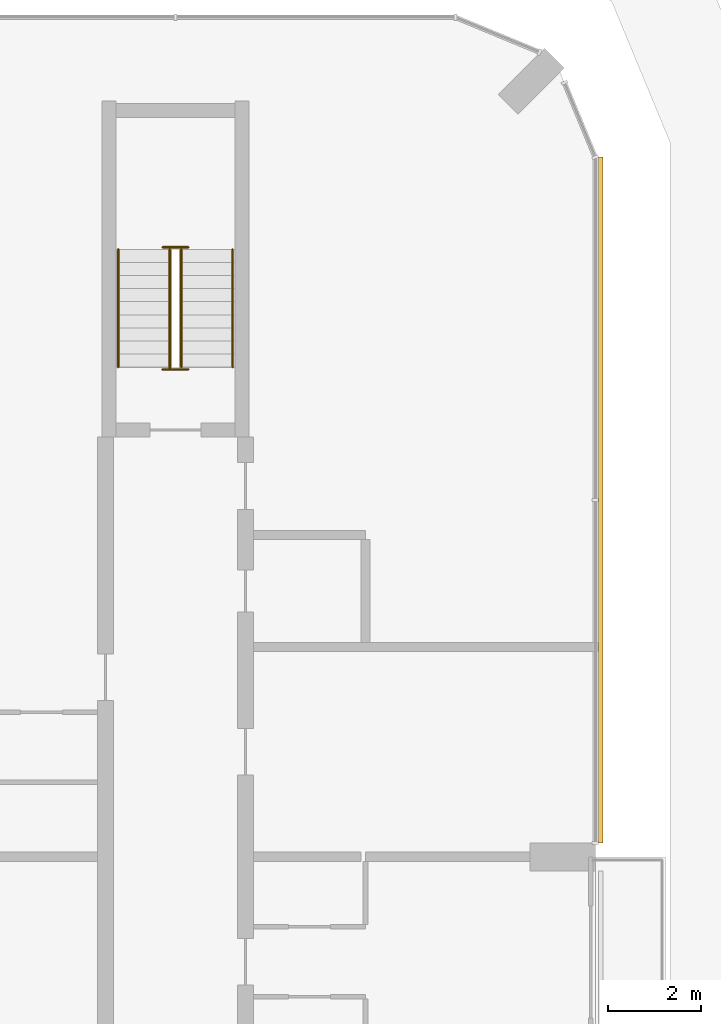
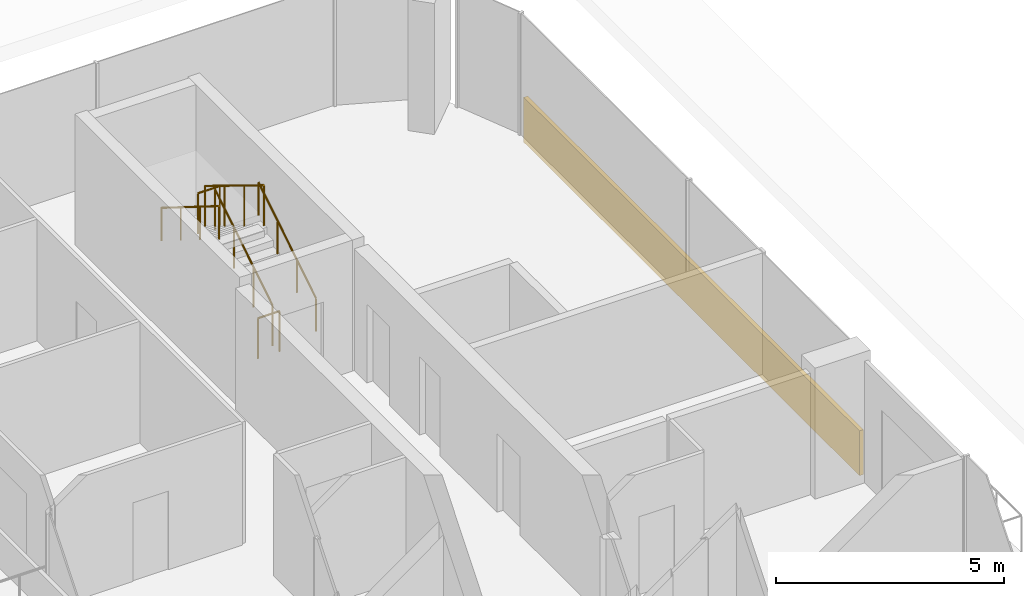
# One storey, part 23 of 24: 6 railings, 1 covering.
"""IFC4 building model written with IfcOpenShell, lengths in metres."""

from ifc_helpers import new_model, si_unit, direction, frame, origin, origin_2d, place, context, subcontext, project, spatial, rectangle, circle, extrude, material, layer, layer_set, type_object, element, save


model = new_model("IFC4")

# Units and contexts
model_context = context("Model", 3, precision=1e-05, world=origin(), true_north=direction((0.0, 1.0)))
body_context = subcontext(model_context, "Body", "Model", "MODEL_VIEW")
ifc_project = project(units=[si_unit("LENGTHUNIT", "METRE"), si_unit("AREAUNIT", "SQUARE_METRE"), si_unit("VOLUMEUNIT", "CUBIC_METRE"), si_unit("PLANEANGLEUNIT", "RADIAN"), si_unit("MASSUNIT", "GRAM", prefix="KILO")], contexts=[model_context])

# Site, building, storey
site_placement = place(None, origin())
site = spatial("IfcSite", under=ifc_project, at=site_placement, CompositionType="ELEMENT")
building_placement = place(site_placement, origin())
building = spatial("IfcBuilding", under=site, at=building_placement, Name="Plateau Cross Towers", CompositionType="ELEMENT")
storey_placement = place(building_placement, frame((0.0, 0.0, 30.300048828125)))
storey = spatial("IfcBuildingStorey", under=building, at=storey_placement, Name="L06", CompositionType="ELEMENT", Elevation=30.300048828125)

# Railings
ifc_material_1 = material(Name="Stainless steel and toughened glass", Category="steel")
railing_type_1 = type_object("IfcRailingType", Name="RL-GUARD-1100", PredefinedType="GUARDRAIL", material=ifc_material_1)
railing_1_placement = place(storey_placement, frame((9.125, 46.5, 0.175048828125)))
element("IfcRailing", 1, at=railing_1_placement, inside=storey, type_object=railing_type_1, Name="L06 ES-N stair guard 1", PredefinedType="GUARDRAIL", context=body_context, shape_type="SweptSolid", body=[
    extrude(circle(Radius=0.02392578125, at=origin_2d()), frame((0.0, 0.0, 1.076171875), z_axis=(0.0, 0.848007534815, 0.529984170421), x_axis=(-1.0, 0.0, 0.0)), (0.0, 0.0, 1.0), 2.9716796875),
    extrude(circle(Radius=0.02099609375, at=origin_2d()), origin(), (0.0, 0.0, 1.0), 1.052001953125),
    extrude(circle(Radius=0.02099609375, at=origin_2d()), frame((0.0, 0.840087890625, 0.52490234375)), (0.0, 0.0, 1.0), 1.052001953125),
    extrude(circle(Radius=0.02099609375, at=origin_2d()), frame((0.0, 1.679931640625, 1.050048828125)), (0.0, 0.0, 1.0), 1.052001953125),
    extrude(circle(Radius=0.02099609375, at=origin_2d()), frame((0.0, 2.52001953125, 1.574951171875)), (0.0, 0.0, 1.0), 1.052001953125),
])
railing_2_placement = place(storey_placement, frame((9.27490234375, 49.070068359375, 1.75)))
element("IfcRailing", 2, at=railing_2_placement, inside=storey, type_object=railing_type_1, Name="L06 ES-N stair guard 2", PredefinedType="GUARDRAIL", context=body_context, shape_type="SweptSolid", body=[
    extrude(circle(Radius=0.02392578125, at=origin_2d()), frame((0.0, 0.0, 1.076171875), z_axis=(-1.0, 0.0, 0.0), x_axis=(0.0, -1.0, 0.0)), (0.0, 0.0, 1.0), 0.5498046875),
    extrude(circle(Radius=0.02099609375, at=origin_2d()), origin(), (0.0, 0.0, 1.0), 1.052001953125),
    extrude(circle(Radius=0.02099609375, at=origin_2d()), frame((-0.5498046875, 0.0, 0.0)), (0.0, 0.0, 1.0), 1.052001953125),
])
railing_3_placement = place(storey_placement, frame((8.875, 49.02001953125, 1.925048828125)))
element("IfcRailing", 3, at=railing_3_placement, inside=storey, type_object=railing_type_1, Name="L06 ES-N stair guard 3", PredefinedType="GUARDRAIL", context=body_context, shape_type="SweptSolid", body=[
    extrude(circle(Radius=0.02392578125, at=origin_2d()), frame((0.0, 0.0, 1.076171875), z_axis=(0.0, -0.852638500773, 0.522501279423), x_axis=(1.0, 0.0, 0.0)), (0.0, 0.0, 1.0), 3.01416015625),
    extrude(circle(Radius=0.02099609375, at=origin_2d()), origin(), (0.0, 0.0, 1.0), 1.052001953125),
    extrude(circle(Radius=0.02099609375, at=origin_2d()), frame((0.0, -0.856689453125, 0.52490234375)), (0.0, 0.0, 1.0), 1.052001953125),
    extrude(circle(Radius=0.02099609375, at=origin_2d()), frame((0.0, -1.71337890625, 1.050048828125)), (0.0, 0.0, 1.0), 1.052001953125),
    extrude(circle(Radius=0.02099609375, at=origin_2d()), frame((0.0, -2.570068359375, 1.574951171875)), (0.0, 0.0, 1.0), 1.052001953125),
])
railing_4_placement = place(storey_placement, frame((9.27490234375, 46.449951171875, 0.0)))
element("IfcRailing", 4, at=railing_4_placement, inside=storey, type_object=railing_type_1, Name="L06 ES-N stair guard 4", PredefinedType="GUARDRAIL", context=body_context, shape_type="SweptSolid", body=[
    extrude(circle(Radius=0.02392578125, at=origin_2d()), frame((0.0, 0.0, 1.076171875), z_axis=(-1.0, 0.0, 0.0), x_axis=(0.0, -1.0, 0.0)), (0.0, 0.0, 1.0), 0.5498046875),
    extrude(circle(Radius=0.02099609375, at=origin_2d()), origin(), (0.0, 0.0, 1.0), 1.052001953125),
    extrude(circle(Radius=0.02099609375, at=origin_2d()), frame((-0.5498046875, 0.0, 0.0)), (0.0, 0.0, 1.0), 1.052001953125),
])
ifc_material_2 = material(Name="Black anodised aluminium", Category="aluminium")
railing_type_2 = type_object("IfcRailingType", Name="RL-HANDRAIL-900", PredefinedType="HANDRAIL", material=ifc_material_2)
railing_5_placement = place(storey_placement, frame((10.22509765625, 46.5, 0.175048828125)))
element("IfcRailing", 5, at=railing_5_placement, inside=storey, type_object=railing_type_2, Name="L06 ES-N stair handrail 1", PredefinedType="HANDRAIL", context=body_context, shape_type="SweptSolid", body=[
    extrude(circle(Radius=0.02392578125, at=origin_2d()), frame((0.0, 0.0, 0.8759765625), z_axis=(0.0, 0.848007534815, 0.529984170421), x_axis=(-1.0, 0.0, 0.0)), (0.0, 0.0, 1.0), 2.9716796875),
    extrude(circle(Radius=0.02099609375, at=origin_2d()), origin(), (0.0, 0.0, 1.0), 0.851806640625),
    extrude(circle(Radius=0.02099609375, at=origin_2d()), frame((0.0, 0.840087890625, 0.52490234375)), (0.0, 0.0, 1.0), 0.851806640625),
    extrude(circle(Radius=0.02099609375, at=origin_2d()), frame((0.0, 1.679931640625, 1.050048828125)), (0.0, 0.0, 1.0), 0.851806640625),
    extrude(circle(Radius=0.02099609375, at=origin_2d()), frame((0.0, 2.52001953125, 1.574951171875)), (0.0, 0.0, 1.0), 0.851806640625),
])
railing_6_placement = place(storey_placement, frame((7.77490234375, 49.02001953125, 1.925048828125)))
element("IfcRailing", 6, at=railing_6_placement, inside=storey, type_object=railing_type_2, Name="L06 ES-N stair handrail 2", PredefinedType="HANDRAIL", context=body_context, shape_type="SweptSolid", body=[
    extrude(circle(Radius=0.02392578125, at=origin_2d()), frame((0.0, 0.0, 0.8759765625), z_axis=(0.0, -0.848007534815, 0.529984170421), x_axis=(1.0, 0.0, 0.0)), (0.0, 0.0, 1.0), 2.9716796875),
    extrude(circle(Radius=0.02099609375, at=origin_2d()), origin(), (0.0, 0.0, 1.0), 0.851806640625),
    extrude(circle(Radius=0.02099609375, at=origin_2d()), frame((0.0, -0.840087890625, 0.52490234375)), (0.0, 0.0, 1.0), 0.851806640625),
    extrude(circle(Radius=0.02099609375, at=origin_2d()), frame((0.0, -1.679931640625, 1.050048828125)), (0.0, 0.0, 1.0), 0.851806640625),
    extrude(circle(Radius=0.02099609375, at=origin_2d()), frame((0.0, -2.52001953125, 1.574951171875)), (0.0, 0.0, 1.0), 0.851806640625),
])

# Covering
ifc_material_3 = material(Name="Precast concrete cladding C40/50", Category="concrete")
ifc_layer = layer(ifc_material_3, 0.10009765625)
ifc_layer_set = layer_set([ifc_layer], Name="Precast concrete cladding C40/50")
covering_type = type_object("IfcCoveringType", Name="Spandrel band cladding 100x1200", PredefinedType="CLADDING", material=ifc_layer_set)
covering_placement = place(storey_placement, frame((18.1201171875, 43.64990234375, -0.25), z_axis=(0.0, 0.0, 1.0), x_axis=(0.0, 1.0, 0.0)))
element("IfcCovering", 7, at=covering_placement, inside=storey, type_object=covering_type, Name="Spandrel band", PredefinedType="CLADDING", context=body_context, shape_type="SweptSolid", body=[
    extrude(rectangle(XDim=14.699951171875, YDim=0.10009765625, at=origin_2d()), origin(), (0.0, 0.0, 1.0), 1.199951171875),
])

save(model, "model.ifc")
